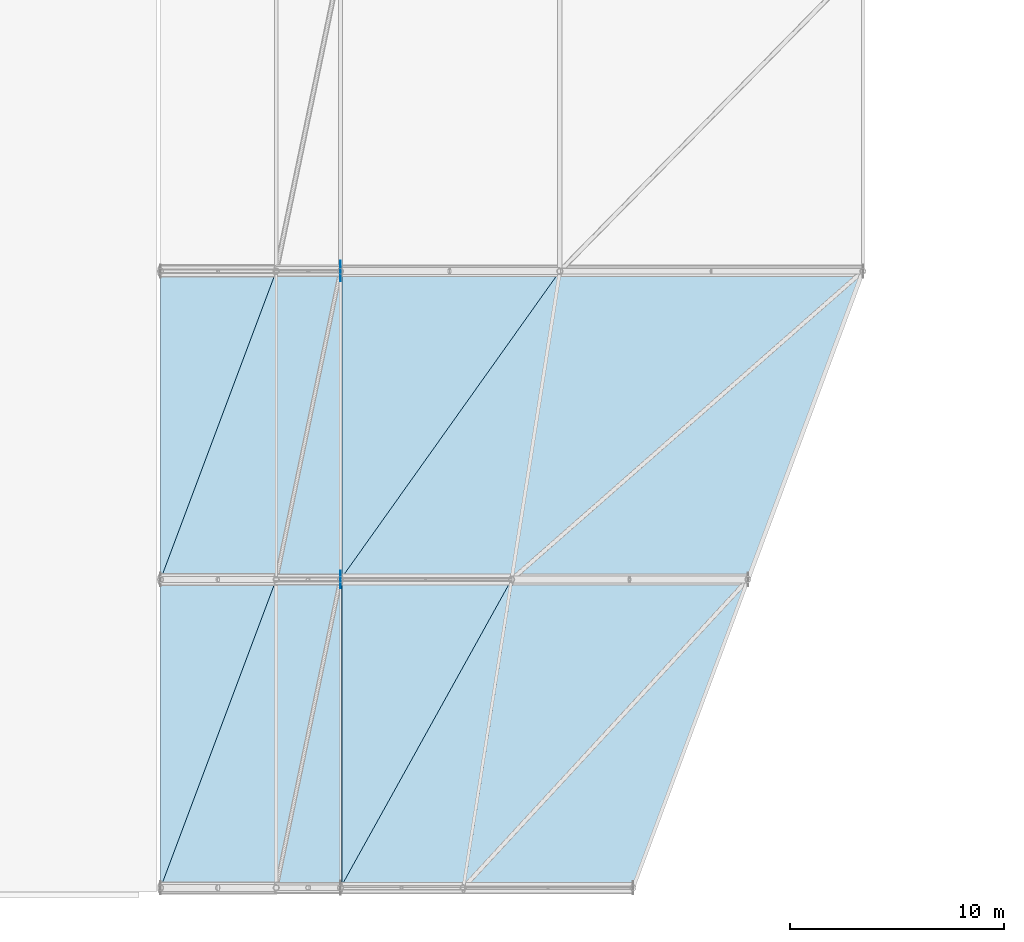
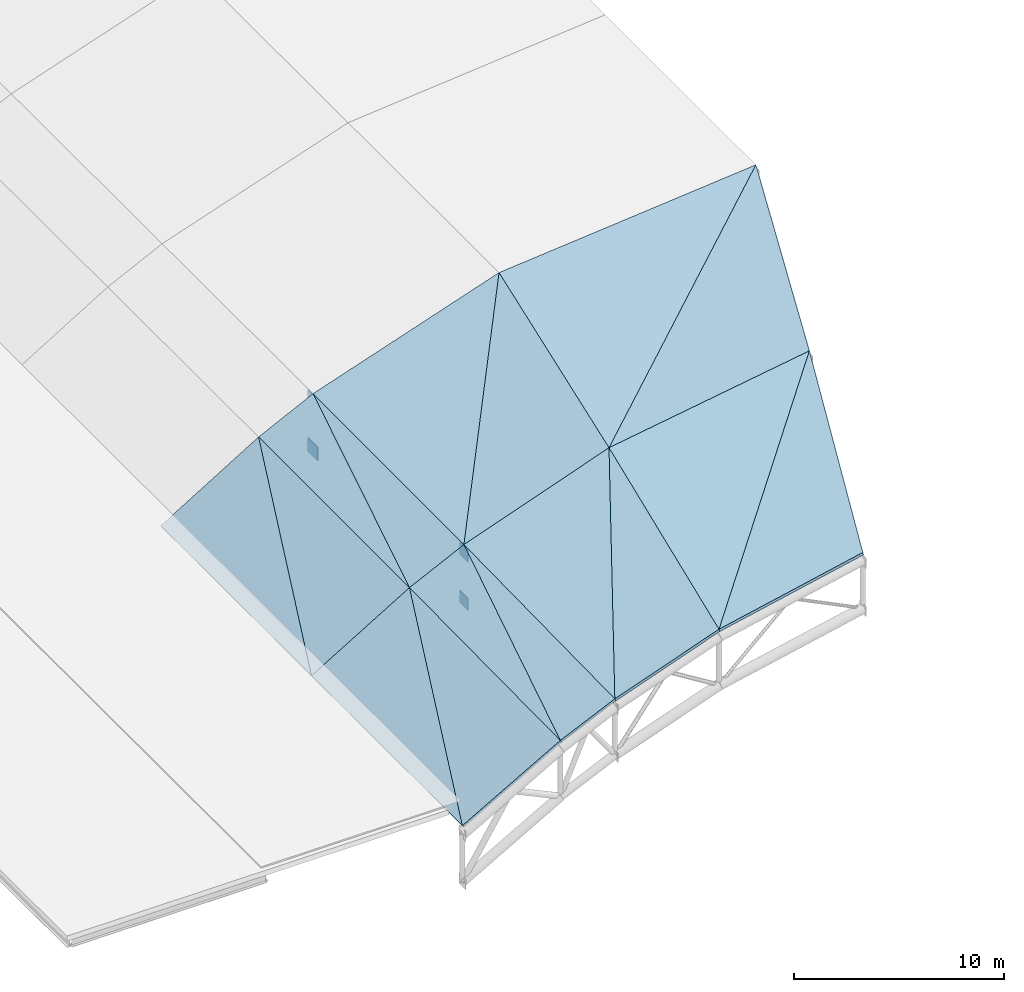
# One storey, part 24 of 36: 16 slabs, 4 plates.
"""IFC4 building model written with IfcOpenShell, lengths in metres."""

from ifc_helpers import new_model, si_unit, direction, frame, origin, origin_2d, place, context, subcontext, project, spatial, polyline, rectangle, outline, extrude, material, layer, layer_set, type_object, element, save


model = new_model("IFC4")

# Units and contexts
model_context = context("Model", 3, precision=1e-05, world=origin(), true_north=direction((0.0, 1.0)))
body_context = subcontext(model_context, "Body", "Model", "MODEL_VIEW")
ifc_project = project(units=[si_unit("LENGTHUNIT", "METRE"), si_unit("AREAUNIT", "SQUARE_METRE"), si_unit("VOLUMEUNIT", "CUBIC_METRE"), si_unit("PLANEANGLEUNIT", "RADIAN"), si_unit("MASSUNIT", "GRAM", prefix="KILO")], contexts=[model_context])

# Site, building, storey
site_placement = place(None, origin())
site = spatial("IfcSite", under=ifc_project, at=site_placement, CompositionType="ELEMENT")
building_placement = place(site_placement, origin())
building = spatial("IfcBuilding", under=site, at=building_placement, Name="Koshinbarg Plaza Stadium", CompositionType="ELEMENT")
storey_placement = place(building_placement, frame((0.0, 0.0, 34.199951171875)))
storey = spatial("IfcBuildingStorey", under=building, at=storey_placement, Name="RF", CompositionType="ELEMENT", Elevation=34.199951171875)

# Plates
ifc_material_1 = material(Name="Steel S355", Category="steel")
ifc_layer_1 = layer(ifc_material_1, 0.034912109375)
ifc_layer_set_1 = layer_set([ifc_layer_1], Name="Steel S355")
plate_type_1 = type_object("IfcPlateType", Name="PLT-GUS-02", PredefinedType="USERDEFINED", material=ifc_layer_set_1)
for number, where, z_axis, x_axis, name in (
    (1, (54.60009765625, 39.89990234375, 2.34716796875), (0.0, 0.0, 1.0), (1.0, 0.0, 0.0), "Roof truss node cap plate KN-03 WRB-02-3T"),
    (2, (54.60009765625, 39.89990234375, -0.453125), (0.0, 0.0, 1.0), (1.0, 0.0, 0.0), "Roof truss node cap plate KN-03 WRB-02-3B"),
):
    element("IfcPlate", number, at=place(storey_placement, frame(where, z_axis=z_axis, x_axis=x_axis)), inside=storey, type_object=plate_type_1, Name=name, ObjectType="GUSSET_PLATE", PredefinedType="USERDEFINED", context=body_context, shape_type="SweptSolid", body=[
        extrude(rectangle(XDim=0.034912109375, YDim=0.800048828125, at=origin_2d()), origin(), (0.0, 0.0, 1.0), 0.699951171875),
    ])
ifc_layer_2 = layer(ifc_material_1, 0.0380859375)
ifc_layer_set_2 = layer_set([ifc_layer_2], Name="Steel S355")
plate_type_2 = type_object("IfcPlateType", Name="PLT-GUS-03", PredefinedType="USERDEFINED", material=ifc_layer_set_2)
for number, where, z_axis, x_axis, name in (
    (3, (54.60009765625, 54.300048828125, 2.35986328125), (0.0, 0.0, 1.0), (1.0, 0.0, 0.0), "Roof truss node cap plate KN-03 WRB-03-3T"),
    (4, (54.60009765625, 54.300048828125, -0.43994140625), (0.0, 0.0, 1.0), (1.0, 0.0, 0.0), "Roof truss node cap plate KN-03 WRB-03-3B"),
):
    element("IfcPlate", number, at=place(storey_placement, frame(where, z_axis=z_axis, x_axis=x_axis)), inside=storey, type_object=plate_type_2, Name=name, ObjectType="GUSSET_PLATE", PredefinedType="USERDEFINED", context=body_context, shape_type="SweptSolid", body=[
        extrude(rectangle(XDim=0.0380859375, YDim=0.949951171875, at=origin_2d()), origin(), (0.0, 0.0, 1.0), 0.800048828125),
    ])

# Slabs
ifc_material_2 = material(Name="Precast concrete C40/50", Category="concrete")
ifc_layer_3 = layer(ifc_material_2, 0.159912109375)
ifc_layer_set_3 = layer_set([ifc_layer_3], Name="Precast concrete C40/50")
slab_type = type_object("IfcSlabType", Name="SL-BARRELDECK-160", PredefinedType="ROOF", material=ifc_layer_set_3)
slab_1_placement = place(storey_placement, frame((46.199951171875, 25.5, -1.56005859375), z_axis=(-0.494618873305, -0.010181306025, 0.869050350197), x_axis=(0.869095396141, 0.0, 0.494644511145)))
element("IfcSlab", 5, at=slab_1_placement, inside=storey, type_object=slab_type, Name="Quarter-barrel stand roof deck west bay 1.1A", PredefinedType="ROOF", context=body_context, shape_type="SweptSolid", body=[
    extrude(outline(polyline([(0.0, 0.0), (6.213525590345546, 3.469446951953614e-18), (6.296972699037287, 14.400648741462302), (0.0, 0.0)])), origin(), (0.0, 0.0, -1.0), 0.159912109375),
])
slab_2_placement = place(storey_placement, frame((46.199951171875, 25.5, -1.56005859375), z_axis=(-0.514740838237, 0.0, 0.857345828386), x_axis=(0.343581845871, 0.916187188984, 0.206282694207)))
element("IfcSlab", 6, at=slab_2_placement, inside=storey, type_object=slab_type, Name="Quarter-barrel stand roof deck west bay 1.1B", PredefinedType="ROOF", context=body_context, shape_type="SweptSolid", body=[
    extrude(outline(polyline([(0.0, 0.0), (15.717205519665407, 1.1102230246251565e-15), (13.19300604996804, 5.7707693486261835), (0.0, 0.0)])), origin(), (0.0, 0.0, -1.0), 0.159912109375),
])
slab_3_placement = place(storey_placement, frame((51.60009765625, 25.5, 1.513427734375), z_axis=(-0.416174661504, -0.015799330407, 0.909147420544), x_axis=(0.909260911954, 0.0, 0.416226613748)))
element("IfcSlab", 7, at=slab_3_placement, inside=storey, type_object=slab_type, Name="Quarter-barrel stand roof deck west bay 1.2A", PredefinedType="ROOF", context=body_context, shape_type="SweptSolid", body=[
    extrude(outline(polyline([(0.0, 0.0), (3.2993830049868933, 0.0), (3.403541276249637, 14.401699923758356), (0.0, 0.0)])), origin(), (0.0, 0.0, -1.0), 0.159912109375),
])
slab_4_placement = place(storey_placement, frame((51.60009765625, 25.5, 1.513427734375), z_axis=(-0.436319330765, -0.010540733283, 0.899730145401), x_axis=(0.20272442848, 0.973070657603, 0.109710078889)))
element("IfcSlab", 8, at=slab_4_placement, inside=storey, type_object=slab_type, Name="Quarter-barrel stand roof deck west bay 1.2B", PredefinedType="ROOF", context=body_context, shape_type="SweptSolid", body=[
    extrude(outline(polyline([(0.0, 0.0), (14.798413898560765, -1.1102230246251565e-16), (14.03063066192315, 3.244541697009102), (0.0, 0.0)])), origin(), (0.0, 0.0, -1.0), 0.159912109375),
])
slab_5_placement = place(storey_placement, frame((54.60009765625, 25.5, 2.88671875), z_axis=(-0.335617180048, -0.016164218455, 0.941859770082), x_axis=(0.941982839682, 0.0, 0.335661033999)))
element("IfcSlab", 9, at=slab_5_placement, inside=storey, type_object=slab_type, Name="Quarter-barrel stand roof deck west bay 1.3A", PredefinedType="ROOF", context=body_context, shape_type="SweptSolid", body=[
    extrude(outline(polyline([(0.0, 0.0), (6.0922230103351325, -3.469446951953614e-18), (8.568678321311097, 14.401783929817995), (0.0, 0.0)])), origin(), (0.0, 0.0, -1.0), 0.159912109375),
])
slab_6_placement = place(storey_placement, frame((54.60009765625, 25.5, 2.88671875), z_axis=(-0.335290554203, -0.016369771426, 0.941972544635), x_axis=(0.476987981254, 0.859280569021, 0.184714291387)))
element("IfcSlab", 10, at=slab_6_placement, inside=storey, type_object=slab_type, Name="Quarter-barrel stand roof deck west bay 1.3B", PredefinedType="ROOF", context=body_context, shape_type="SweptSolid", body=[
    extrude(outline(polyline([(0.0, 0.0), (16.758091434744912, -1.1102230246251565e-15), (12.419779948890689, 7.291699092844321), (0.0, 0.0)])), origin(), (0.0, 0.0, -1.0), 0.159912109375),
])
slab_7_placement = place(storey_placement, frame((60.3388671875, 25.5, 4.931640625), z_axis=(-0.20918538409, 0.001088164807, 0.977875396449), x_axis=(0.977875975402, 0.0, 0.209185507939)))
element("IfcSlab", 11, at=slab_7_placement, inside=storey, type_object=slab_type, Name="Quarter-barrel stand roof deck west bay 1.4A", PredefinedType="ROOF", context=body_context, shape_type="SweptSolid", body=[
    extrude(outline(polyline([(0.0, 0.0), (8.104349659338599, -2.168404344971009e-19), (13.590614144924304, 14.399910869238811), (0.0, 0.0)])), origin(), (0.0, 0.0, -1.0), 0.159912109375),
])
slab_8_placement = place(storey_placement, frame((60.3388671875, 25.5, 4.931640625), z_axis=(-0.158767093172, -0.047088472868, 0.986192519668), x_axis=(0.671355358149, 0.727247180561, 0.142805887309)))
element("IfcSlab", 12, at=slab_8_placement, inside=storey, type_object=slab_type, Name="Quarter-barrel stand roof deck west bay 1.4B", PredefinedType="ROOF", context=body_context, shape_type="SweptSolid", body=[
    extrude(outline(polyline([(0.0, 0.0), (19.800561251596854, 8.049116928532385e-16), (12.135975016955948, 8.140167176185395), (0.0, 0.0)])), origin(), (0.0, 0.0, -1.0), 0.159912109375),
])
slab_9_placement = place(storey_placement, frame((46.199951171875, 39.89990234375, -1.56005859375), z_axis=(-0.514739172943, -0.002543699618, 0.857343054693), x_axis=(0.857345828386, 0.0, 0.514740838237)))
element("IfcSlab", 13, at=slab_9_placement, inside=storey, type_object=slab_type, Name="Quarter-barrel stand roof deck west bay 2.1A", PredefinedType="ROOF", context=body_context, shape_type="SweptSolid", body=[
    extrude(outline(polyline([(0.0, 0.0), (6.298679372524365, 1.734723475976807e-18), (6.320671473767406, 14.400193072010767), (0.0, 0.0)])), origin(), (0.0, 0.0, -1.0), 0.159912109375),
])
slab_10_placement = place(storey_placement, frame((46.199951171875, 39.89990234375, -1.56005859375), z_axis=(-0.519700630377, 0.0, 0.854348438745), x_axis=(0.343383197284, 0.915673001736, 0.208880189857)))
element("IfcSlab", 14, at=slab_10_placement, inside=storey, type_object=slab_type, Name="Quarter-barrel stand roof deck west bay 2.1B", PredefinedType="ROOF", context=body_context, shape_type="SweptSolid", body=[
    extrude(outline(polyline([(0.0, 0.0), (15.726297987463035, 2.220446049250313e-15), (13.18582535678568, 5.787765409189067), (0.0, 0.0)])), origin(), (0.0, 0.0, -1.0), 0.159912109375),
])
slab_11_placement = place(storey_placement, frame((51.60009765625, 39.89990234375, 1.68212890625), z_axis=(-0.436340192367, -0.003935735319, 0.899773163921), x_axis=(0.899780132751, 0.0, 0.436343571864)))
element("IfcSlab", 15, at=slab_11_placement, inside=storey, type_object=slab_type, Name="Quarter-barrel stand roof deck west bay 2.2A", PredefinedType="ROOF", context=body_context, shape_type="SweptSolid", body=[
    extrude(outline(polyline([(0.0, 0.0), (3.334147855463587, 0.0), (3.3616323870897733, 14.400258014895211), (0.0, 0.0)])), origin(), (0.0, 0.0, -1.0), 0.159912109375),
])
slab_12_placement = place(storey_placement, frame((51.60009765625, 39.89990234375, 1.68212890625), z_axis=(-0.441242895286, -0.002662498662, 0.897383763203), x_axis=(0.202875047794, 0.973810135422, 0.102642754894)))
element("IfcSlab", 16, at=slab_12_placement, inside=storey, type_object=slab_type, Name="Quarter-barrel stand roof deck west bay 2.2B", PredefinedType="ROOF", context=body_context, shape_type="SweptSolid", body=[
    extrude(outline(polyline([(0.0, 0.0), (14.787427200209125, 6.661338147750939e-16), (14.02739396965036, 3.25549728673219), (0.0, 0.0)])), origin(), (0.0, 0.0, -1.0), 0.159912109375),
])
slab_13_placement = place(storey_placement, frame((54.60009765625, 39.89990234375, 3.136962890625), z_axis=(-0.335324501126, 0.008094495657, 0.942067915856), x_axis=(0.942098779922, 0.0, 0.335335487041)))
element("IfcSlab", 17, at=slab_13_placement, inside=storey, type_object=slab_type, Name="Quarter-barrel stand roof deck west bay 2.3A", PredefinedType="ROOF", context=body_context, shape_type="SweptSolid", body=[
    extrude(outline(polyline([(0.0, 0.0), (8.484681620949686, -3.469446951953614e-18), (10.836139821090285, 14.400618262549054), (0.0, 0.0)])), origin(), (0.0, 0.0, -1.0), 0.159912109375),
])
slab_14_placement = place(storey_placement, frame((54.60009765625, 39.89990234375, 3.136962890625), z_axis=(-0.31996712344, -0.004144147506, 0.947419582845), x_axis=(0.568621040033, 0.799022627856, 0.195532485809)))
element("IfcSlab", 18, at=slab_14_placement, inside=storey, type_object=slab_type, Name="Quarter-barrel stand roof deck west bay 2.3B", PredefinedType="ROOF", context=body_context, shape_type="SweptSolid", body=[
    extrude(outline(polyline([(0.0, 0.0), (18.022201102137327, -6.661338147750939e-16), (11.518359140663053, 8.642660990790768), (0.0, 0.0)])), origin(), (0.0, 0.0, -1.0), 0.159912109375),
])
slab_15_placement = place(storey_placement, frame((62.593505859375, 39.89990234375, 5.982177734375), z_axis=(-0.158791979006, 0.043640649673, 0.986347099707), x_axis=(0.987287695583, 0.0, 0.158943405497)))
element("IfcSlab", 19, at=slab_15_placement, inside=storey, type_object=slab_type, Name="Quarter-barrel stand roof deck west bay 2.4A", PredefinedType="ROOF", context=body_context, shape_type="SweptSolid", body=[
    extrude(outline(polyline([(0.0, 0.0), (11.180706766769843, 1.3877787807814457e-17), (16.51647628090289, 14.413878687169351), (0.0, 0.0)])), origin(), (0.0, 0.0, -1.0), 0.159912109375),
])
slab_16_placement = place(storey_placement, frame((62.593505859375, 39.89990234375, 5.982177734375), z_axis=(-0.093199969149, -0.032311570204, 0.995122971387), x_axis=(0.748418889634, 0.65689485822, 0.091423798232)))
element("IfcSlab", 20, at=slab_16_placement, inside=storey, type_object=slab_type, Name="Quarter-barrel stand roof deck west bay 2.4B", PredefinedType="ROOF", context=body_context, shape_type="SweptSolid", body=[
    extrude(outline(polyline([(0.0, 0.0), (21.921539351652807, -1.4432899320127035e-15), (11.208663966887627, 9.34200268079948), (0.0, 0.0)])), origin(), (0.0, 0.0, -1.0), 0.159912109375),
])

save(model, "model.ifc")
